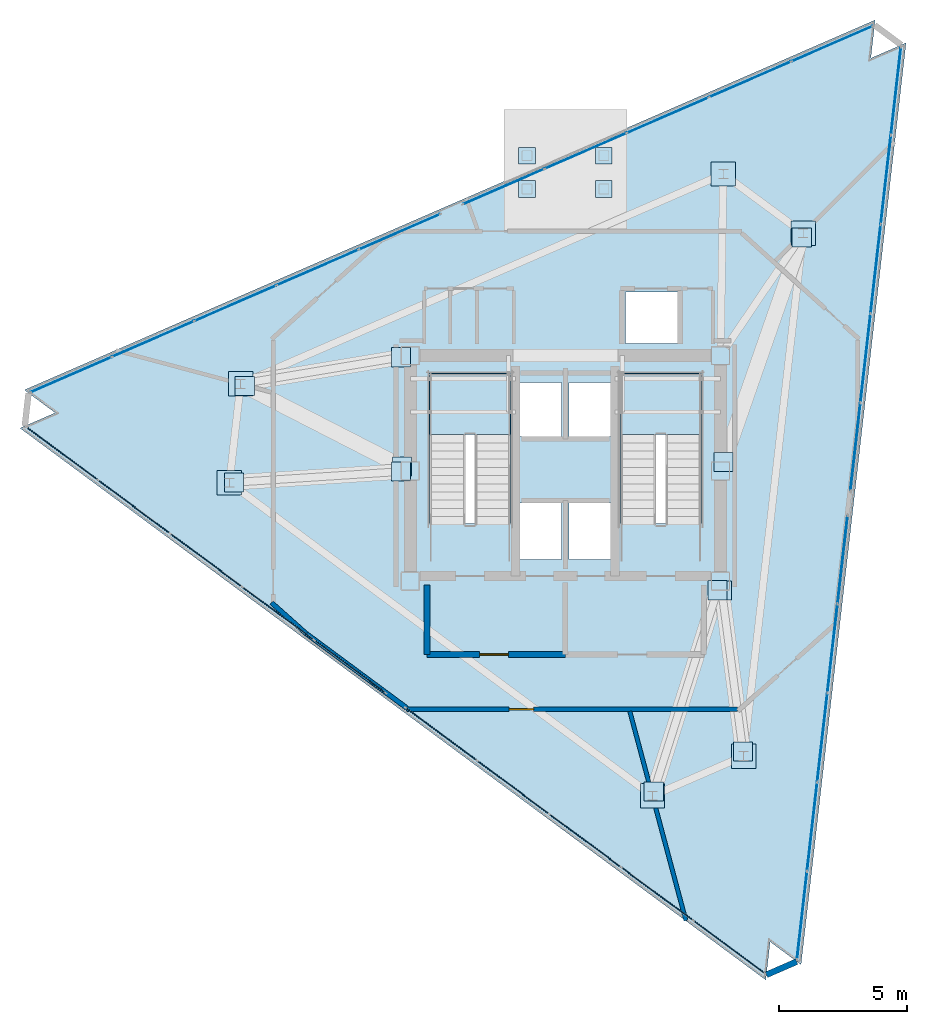
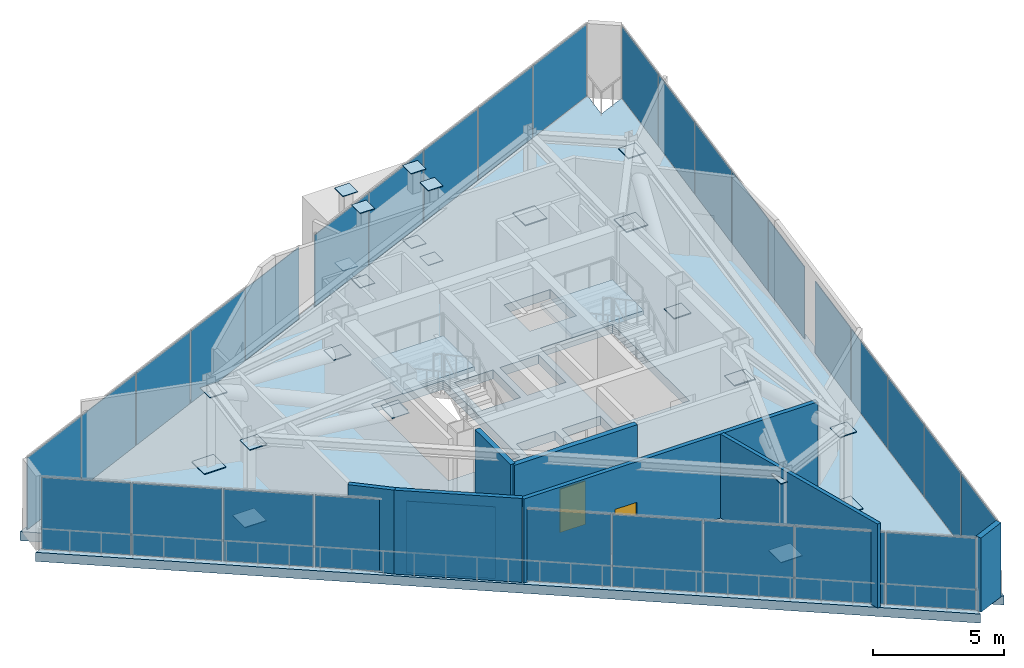
# One storey, part 7 of 11: 55 plates, 7 walls, 3 slabs, 2 doors, 2 openings, 8 elements without a shape of their own.
"""IFC4 building model written with IfcOpenShell, lengths in metres."""

from ifc_helpers import new_model, si_unit, direction, frame, frame_2d, origin, origin_2d, place, context, subcontext, project, spatial, polyline, rectangle, outline, extrude, material, layer, layer_set, type_object, element, fill, aggregate, save


model = new_model("IFC4")

# Units and contexts
model_context = context("Model", 3, precision=1e-05, world=origin(), true_north=direction((0.0, 1.0)))
body_context = subcontext(model_context, "Body", "Model", "MODEL_VIEW")
ifc_project = project(units=[si_unit("LENGTHUNIT", "METRE"), si_unit("AREAUNIT", "SQUARE_METRE"), si_unit("VOLUMEUNIT", "CUBIC_METRE"), si_unit("PLANEANGLEUNIT", "RADIAN"), si_unit("MASSUNIT", "GRAM", prefix="KILO")], contexts=[model_context])

# Site, building, storey
site_placement = place(None, origin())
site = spatial("IfcSite", under=ifc_project, at=site_placement, CompositionType="ELEMENT")
building_placement = place(site_placement, origin())
building = spatial("IfcBuilding", under=site, at=building_placement, Name="Rocaltana Carrier Exchange", CompositionType="ELEMENT")
storey_placement = place(building_placement, frame((0.0, 0.0, 239.199951171875)))
storey = spatial("IfcBuildingStorey", under=building, at=storey_placement, Name="L76", CompositionType="ELEMENT", Elevation=239.199951171875)

# Plates
ifc_material_1 = material(Name="Steel S460", Category="steel")
ifc_layer_1 = layer(ifc_material_1, 0.031982421875)
ifc_layer_set_1 = layer_set([ifc_layer_1], Name="Steel S460")
plate_type_1 = type_object("IfcPlateType", Name="Belt Truss Node End-Cap Plate 650x650x32", PredefinedType="USERDEFINED", material=ifc_layer_set_1)
for number, where, z_axis, x_axis, name in (
    (1, (-1.5, 11.0, -0.01611328125), (0.0, 0.0, 1.0), (1.0, 0.0, 0.0), "L76 TMD Support Ring Post 1 node plate C0"),
    (2, (-1.5, 11.0, 3.4521484375), (0.0, 0.0, 1.0), (1.0, 0.0, 0.0), "L76 TMD Support Ring Post 1 node plate C1"),
    (3, (1.5, 11.0, -0.01611328125), (0.0, 0.0, 1.0), (1.0, 0.0, 0.0), "L76 TMD Support Ring Post 2 node plate C0"),
    (4, (1.5, 11.0, 3.4521484375), (0.0, 0.0, 1.0), (1.0, 0.0, 0.0), "L76 TMD Support Ring Post 2 node plate C1"),
    (5, (1.5, 12.300048828125, -0.01611328125), (0.0, 0.0, 1.0), (1.0, 0.0, 0.0), "L76 TMD Support Ring Post 3 node plate C0"),
    (6, (1.5, 12.300048828125, 3.4521484375), (0.0, 0.0, 1.0), (1.0, 0.0, 0.0), "L76 TMD Support Ring Post 3 node plate C1"),
    (7, (-1.5, 12.300048828125, -0.01611328125), (0.0, 0.0, 1.0), (1.0, 0.0, 0.0), "L76 TMD Support Ring Post 4 node plate C0"),
    (8, (-1.5, 12.300048828125, 3.4521484375), (0.0, 0.0, 1.0), (1.0, 0.0, 0.0), "L76 TMD Support Ring Post 4 node plate C1"),
):
    element("IfcPlate", number, at=place(storey_placement, frame(where, z_axis=z_axis, x_axis=x_axis)), inside=storey, type_object=plate_type_1, Name=name, ObjectType="GUSSET PLATE", PredefinedType="USERDEFINED", context=body_context, shape_type="SweptSolid", body=[
        extrude(rectangle(XDim=0.64990234375, YDim=0.64990234375, at=origin_2d()), origin(), (0.0, 0.0, 1.0), 0.031982421875),
    ])

# Slab
ifc_material_2 = material(Name="Concrete C60/75", Category="concrete")
ifc_layer_2 = layer(ifc_material_2, 0.419921875)
ifc_layer_set_2 = layer_set([ifc_layer_2], Name="Concrete C60/75")
slab_type_1 = type_object("IfcSlabType", Name="Block Transfer Diaphragm Slab 420", PredefinedType="FLOOR", material=ifc_layer_set_2)
slab_1_placement = place(storey_placement, frame((0.0, 0.0, -0.419921875)))
element("IfcSlab", 9, at=slab_1_placement, inside=storey, type_object=slab_type_1, Name="L76 Structural Floor Slab", PredefinedType="FLOOR", context=body_context, shape_type="SweptSolid", body=[
    extrude(outline(polyline([(7.81884765625, -19.86279296875), (7.988525390625, -18.372314453125), (9.1943359375, -19.2646484375), (13.292236328125, 16.70263671875), (11.916748046875, 16.1044921875), (12.08642578125, 17.594970703125), (-21.111083984375, 3.16015625), (-19.9052734375, 2.267822265625), (-21.281005859375, 1.669921875), (7.81884765625, -19.86279296875)]), holes=[polyline([(-5.300048828125, -2.06005859375), (-2.139892578125, -2.06005859375), (-2.139892578125, 3.800048828125), (-5.300048828125, 3.800048828125), (-5.300048828125, -2.06005859375)]), polyline([(2.139892578125, -2.06005859375), (5.300048828125, -2.06005859375), (5.300048828125, 3.800048828125), (2.139892578125, 3.800048828125), (2.139892578125, -2.06005859375)]), polyline([(-1.85009765625, -3.449951171875), (-0.14990234375, -3.449951171875), (-0.14990234375, -1.25), (-1.85009765625, -1.25), (-1.85009765625, -3.449951171875)]), polyline([(0.14990234375, -3.449951171875), (1.85009765625, -3.449951171875), (1.85009765625, -1.25), (0.14990234375, -1.25), (0.14990234375, -3.449951171875)]), polyline([(2.35009765625, 4.97998046875), (4.39990234375, 4.97998046875), (4.39990234375, 6.97998046875), (2.35009765625, 6.97998046875), (2.35009765625, 4.97998046875)]), polyline([(-1.85009765625, 1.35009765625), (-0.14990234375, 1.35009765625), (-0.14990234375, 3.449951171875), (-1.85009765625, 3.449951171875), (-1.85009765625, 1.35009765625)]), polyline([(0.14990234375, 1.35009765625), (1.85009765625, 1.35009765625), (1.85009765625, 3.449951171875), (0.14990234375, 3.449951171875), (0.14990234375, 1.35009765625)])]), origin(), (0.0, 0.0, 1.0), 0.419921875),
])

# Curtain wall, plates
ifc_material_3 = material(Name="Aluminium 6063-T6", Category="aluminium")
ifc_layer_3 = layer(ifc_material_3, 0.110107421875)
ifc_layer_set_3 = layer_set([ifc_layer_3], Name="Aluminium 6063-T6")
curtain_wall_type = type_object("IfcCurtainWallType", Name="Crown Lantern Faceted Curtain Wall CW-06", PredefinedType="NOTDEFINED", material=ifc_layer_set_3)
curtain_wall_1_placement = place(storey_placement, origin())
curtain_wall_1 = element("IfcCurtainWall", 10, at=curtain_wall_1_placement, inside=storey, type_object=curtain_wall_type, Name="L76 CW-06 Run CW06-L76-F1S1", PredefinedType="NOTDEFINED")
ifc_material_4 = material(Name="Tempered Laminated Glass", Category="glass")
ifc_layer_4 = layer(ifc_material_4, 0.033935546875)
ifc_layer_set_4 = layer_set([ifc_layer_4], Name="Tempered Laminated Glass")
plate_type_2 = type_object("IfcPlateType", Name="CW-06 Stone-Insulated Vision Panel", PredefinedType="CURTAIN_PANEL", material=ifc_layer_set_4)
plate_1_placement = place(storey_placement, frame((9.232177734375, -17.3427734375, 0.05517578125), z_axis=(0.0, 0.0, 1.0), x_axis=(0.113199446517, 0.993572284893, 0.0)))
plate_1 = element("IfcPlate", 11, at=plate_1_placement, type_object=plate_type_2, Name="CW-06 panel 1.1", PredefinedType="CURTAIN_PANEL", context=body_context, shape_type="SweptSolid", body=[
    extrude(rectangle(XDim=3.41748046875, YDim=0.033935546875, at=origin_2d()), origin(), (0.0, 0.0, 1.0), 3.337890625),
])
plate_2_placement = place(storey_placement, frame((9.626708984375, -13.87890625, 0.05517578125), z_axis=(0.0, 0.0, 1.0), x_axis=(0.113199446517, 0.993572284893, 0.0)))
plate_2 = element("IfcPlate", 12, at=plate_2_placement, type_object=plate_type_2, Name="CW-06 panel 2.1", PredefinedType="CURTAIN_PANEL", context=body_context, shape_type="SweptSolid", body=[
    extrude(rectangle(XDim=3.445068359375, YDim=0.033935546875, at=origin_2d()), origin(), (0.0, 0.0, 1.0), 3.337890625),
])
plate_3_placement = place(storey_placement, frame((10.02294921875, -10.401611328125, 0.05517578125), z_axis=(0.0, 0.0, 1.0), x_axis=(0.113199446517, 0.993572284893, 0.0)))
plate_3 = element("IfcPlate", 13, at=plate_3_placement, type_object=plate_type_2, Name="CW-06 panel 3.1", PredefinedType="CURTAIN_PANEL", context=body_context, shape_type="SweptSolid", body=[
    extrude(rectangle(XDim=3.445068359375, YDim=0.033935546875, at=origin_2d()), origin(), (0.0, 0.0, 1.0), 3.337890625),
])
plate_4_placement = place(storey_placement, frame((10.419189453125, -6.924072265625, 0.05517578125), z_axis=(0.0, 0.0, 1.0), x_axis=(0.113199446517, 0.993572284893, 0.0)))
plate_4 = element("IfcPlate", 14, at=plate_4_placement, type_object=plate_type_2, Name="CW-06 panel 4.1", PredefinedType="CURTAIN_PANEL", context=body_context, shape_type="SweptSolid", body=[
    extrude(rectangle(XDim=3.445068359375, YDim=0.033935546875, at=origin_2d()), origin(), (0.0, 0.0, 1.0), 3.337890625),
])
plate_5_placement = place(storey_placement, frame((10.81396484375, -3.460205078125, 0.05517578125), z_axis=(0.0, 0.0, 1.0), x_axis=(0.113199446517, 0.993572284893, 0.0)))
plate_5 = element("IfcPlate", 15, at=plate_5_placement, type_object=plate_type_2, Name="CW-06 panel 5.1", PredefinedType="CURTAIN_PANEL", context=body_context, shape_type="SweptSolid", body=[
    extrude(rectangle(XDim=3.41748046875, YDim=0.033935546875, at=origin_2d()), origin(), (0.0, 0.0, 1.0), 3.337890625),
])
aggregate(curtain_wall_1, [plate_1, plate_2, plate_3, plate_4, plate_5])

curtain_wall_2_placement = place(storey_placement, origin())
curtain_wall_2 = element("IfcCurtainWall", 16, at=curtain_wall_2_placement, inside=storey, type_object=curtain_wall_type, Name="L76 CW-06 Run CW06-L76-F1S2", PredefinedType="NOTDEFINED")
plate_6_placement = place(storey_placement, frame((11.315185546875, 0.93896484375, 0.05517578125), z_axis=(0.0, 0.0, 1.0), x_axis=(0.113205730273, 0.993571568954, 0.0)))
plate_6 = element("IfcPlate", 17, at=plate_6_placement, type_object=plate_type_2, Name="CW-06 panel 1.1", PredefinedType="CURTAIN_PANEL", context=body_context, shape_type="SweptSolid", body=[
    extrude(rectangle(XDim=3.41748046875, YDim=0.033935546875, at=origin_2d()), origin(), (0.0, 0.0, 1.0), 3.337890625),
])
plate_7_placement = place(storey_placement, frame((11.709716796875, 4.40283203125, 0.05517578125), z_axis=(0.0, 0.0, 1.0), x_axis=(0.113205730273, 0.993571568954, 0.0)))
plate_7 = element("IfcPlate", 18, at=plate_7_placement, type_object=plate_type_2, Name="CW-06 panel 2.1", PredefinedType="CURTAIN_PANEL", context=body_context, shape_type="SweptSolid", body=[
    extrude(rectangle(XDim=3.445068359375, YDim=0.033935546875, at=origin_2d()), origin(), (0.0, 0.0, 1.0), 3.337890625),
])
plate_8_placement = place(storey_placement, frame((12.10595703125, 7.88037109375, 0.05517578125), z_axis=(0.0, 0.0, 1.0), x_axis=(0.113205730273, 0.993571568954, 0.0)))
plate_8 = element("IfcPlate", 19, at=plate_8_placement, type_object=plate_type_2, Name="CW-06 panel 3.1", PredefinedType="CURTAIN_PANEL", context=body_context, shape_type="SweptSolid", body=[
    extrude(rectangle(XDim=3.445068359375, YDim=0.033935546875, at=origin_2d()), origin(), (0.0, 0.0, 1.0), 3.337890625),
])
plate_9_placement = place(storey_placement, frame((12.502197265625, 11.357666015625, 0.05517578125), z_axis=(0.0, 0.0, 1.0), x_axis=(0.113205730273, 0.993571568954, 0.0)))
plate_9 = element("IfcPlate", 20, at=plate_9_placement, type_object=plate_type_2, Name="CW-06 panel 4.1", PredefinedType="CURTAIN_PANEL", context=body_context, shape_type="SweptSolid", body=[
    extrude(rectangle(XDim=3.445068359375, YDim=0.033935546875, at=origin_2d()), origin(), (0.0, 0.0, 1.0), 3.337890625),
])
plate_10_placement = place(storey_placement, frame((12.896728515625, 14.821533203125, 0.05517578125), z_axis=(0.0, 0.0, 1.0), x_axis=(0.113205730273, 0.993571568954, 0.0)))
plate_10 = element("IfcPlate", 21, at=plate_10_placement, type_object=plate_type_2, Name="CW-06 panel 5.1", PredefinedType="CURTAIN_PANEL", context=body_context, shape_type="SweptSolid", body=[
    extrude(rectangle(XDim=3.41748046875, YDim=0.033935546875, at=origin_2d()), origin(), (0.0, 0.0, 1.0), 3.337890625),
])
aggregate(curtain_wall_2, [plate_6, plate_7, plate_8, plate_9, plate_10])

curtain_wall_3_placement = place(storey_placement, origin())
curtain_wall_3 = element("IfcCurtainWall", 22, at=curtain_wall_3_placement, inside=storey, type_object=curtain_wall_type, Name="L76 CW-06 Run CW06-L76-F2S1", PredefinedType="NOTDEFINED")
plate_11_placement = place(storey_placement, frame((10.4033203125, 16.666748046875, 0.05517578125), z_axis=(0.0, 0.0, 1.0), x_axis=(-0.917059790194, -0.398749722519, 0.0)))
plate_11 = element("IfcPlate", 23, at=plate_11_placement, type_object=plate_type_2, Name="CW-06 panel 1.1", PredefinedType="CURTAIN_PANEL", context=body_context, shape_type="SweptSolid", body=[
    extrude(rectangle(XDim=3.41748046875, YDim=0.033935546875, at=origin_2d()), origin(), (0.0, 0.0, 1.0), 3.337890625),
])
plate_12_placement = place(storey_placement, frame((7.2060546875, 15.276611328125, 0.05517578125), z_axis=(0.0, 0.0, 1.0), x_axis=(-0.917059790194, -0.398749722519, 0.0)))
plate_12 = element("IfcPlate", 24, at=plate_12_placement, type_object=plate_type_2, Name="CW-06 panel 2.1", PredefinedType="CURTAIN_PANEL", context=body_context, shape_type="SweptSolid", body=[
    extrude(rectangle(XDim=3.445068359375, YDim=0.033935546875, at=origin_2d()), origin(), (0.0, 0.0, 1.0), 3.337890625),
])
plate_13_placement = place(storey_placement, frame((3.996337890625, 13.880859375, 0.05517578125), z_axis=(0.0, 0.0, 1.0), x_axis=(-0.917059790194, -0.398749722519, 0.0)))
plate_13 = element("IfcPlate", 25, at=plate_13_placement, type_object=plate_type_2, Name="CW-06 panel 3.1", PredefinedType="CURTAIN_PANEL", context=body_context, shape_type="SweptSolid", body=[
    extrude(rectangle(XDim=3.445068359375, YDim=0.033935546875, at=origin_2d()), origin(), (0.0, 0.0, 1.0), 3.337890625),
])
plate_14_placement = place(storey_placement, frame((0.786865234375, 12.4853515625, 0.05517578125), z_axis=(0.0, 0.0, 1.0), x_axis=(-0.917059790194, -0.398749722519, 0.0)))
plate_14 = element("IfcPlate", 26, at=plate_14_placement, type_object=plate_type_2, Name="CW-06 panel 4.1", PredefinedType="CURTAIN_PANEL", context=body_context, shape_type="SweptSolid", body=[
    extrude(rectangle(XDim=3.445068359375, YDim=0.033935546875, at=origin_2d()), origin(), (0.0, 0.0, 1.0), 3.337890625),
])
plate_15_placement = place(storey_placement, frame((-2.410400390625, 11.09521484375, 0.05517578125), z_axis=(0.0, 0.0, 1.0), x_axis=(-0.917059790194, -0.398749722519, 0.0)))
plate_15 = element("IfcPlate", 27, at=plate_15_placement, type_object=plate_type_2, Name="CW-06 panel 5.1", PredefinedType="CURTAIN_PANEL", context=body_context, shape_type="SweptSolid", body=[
    extrude(rectangle(XDim=3.41748046875, YDim=0.033935546875, at=origin_2d()), origin(), (0.0, 0.0, 1.0), 3.337890625),
])
aggregate(curtain_wall_3, [plate_11, plate_12, plate_13, plate_14, plate_15])

curtain_wall_4_placement = place(storey_placement, origin())
curtain_wall_4 = element("IfcCurtainWall", 28, at=curtain_wall_4_placement, inside=storey, type_object=curtain_wall_type, Name="L76 CW-06 Run CW06-L76-F2S2", PredefinedType="NOTDEFINED")
plate_16_placement = place(storey_placement, frame((-6.470703125, 9.32958984375, 0.05517578125), z_axis=(0.0, 0.0, 1.0), x_axis=(-0.917059790194, -0.398749722519, 0.0)))
plate_16 = element("IfcPlate", 29, at=plate_16_placement, type_object=plate_type_2, Name="CW-06 panel 1.1", PredefinedType="CURTAIN_PANEL", context=body_context, shape_type="SweptSolid", body=[
    extrude(rectangle(XDim=3.41748046875, YDim=0.033935546875, at=origin_2d()), origin(), (0.0, 0.0, 1.0), 3.337890625),
])
plate_17_placement = place(storey_placement, frame((-9.667724609375, 7.939453125, 0.05517578125), z_axis=(0.0, 0.0, 1.0), x_axis=(-0.917059790194, -0.398749722519, 0.0)))
plate_17 = element("IfcPlate", 30, at=plate_17_placement, type_object=plate_type_2, Name="CW-06 panel 2.1", PredefinedType="CURTAIN_PANEL", context=body_context, shape_type="SweptSolid", body=[
    extrude(rectangle(XDim=3.445068359375, YDim=0.033935546875, at=origin_2d()), origin(), (0.0, 0.0, 1.0), 3.337890625),
])
plate_18_placement = place(storey_placement, frame((-12.87744140625, 6.5439453125, 0.05517578125), z_axis=(0.0, 0.0, 1.0), x_axis=(-0.917059790194, -0.398749722519, 0.0)))
plate_18 = element("IfcPlate", 31, at=plate_18_placement, type_object=plate_type_2, Name="CW-06 panel 3.1", PredefinedType="CURTAIN_PANEL", context=body_context, shape_type="SweptSolid", body=[
    extrude(rectangle(XDim=3.445068359375, YDim=0.033935546875, at=origin_2d()), origin(), (0.0, 0.0, 1.0), 3.337890625),
])
plate_19_placement = place(storey_placement, frame((-16.087158203125, 5.1484375, 0.05517578125), z_axis=(0.0, 0.0, 1.0), x_axis=(-0.917059790194, -0.398749722519, 0.0)))
plate_19 = element("IfcPlate", 32, at=plate_19_placement, type_object=plate_type_2, Name="CW-06 panel 4.1", PredefinedType="CURTAIN_PANEL", context=body_context, shape_type="SweptSolid", body=[
    extrude(rectangle(XDim=3.445068359375, YDim=0.033935546875, at=origin_2d()), origin(), (0.0, 0.0, 1.0), 3.337890625),
])
plate_20_placement = place(storey_placement, frame((-19.2841796875, 3.75830078125, 0.05517578125), z_axis=(0.0, 0.0, 1.0), x_axis=(-0.917059790194, -0.398749722519, 0.0)))
plate_20 = element("IfcPlate", 33, at=plate_20_placement, type_object=plate_type_2, Name="CW-06 panel 5.1", PredefinedType="CURTAIN_PANEL", context=body_context, shape_type="SweptSolid", body=[
    extrude(rectangle(XDim=3.41748046875, YDim=0.033935546875, at=origin_2d()), origin(), (0.0, 0.0, 1.0), 3.337890625),
])
aggregate(curtain_wall_4, [plate_16, plate_17, plate_18, plate_19, plate_20])

curtain_wall_5_placement = place(storey_placement, origin())
curtain_wall_5 = element("IfcCurtainWall", 34, at=curtain_wall_5_placement, inside=storey, type_object=curtain_wall_type, Name="L76 CW-06 Run CW06-L76-F3S1", PredefinedType="NOTDEFINED")
plate_21_placement = place(storey_placement, frame((-19.635498046875, 0.67626953125, 0.05517578125), z_axis=(0.0, 0.0, 1.0), x_axis=(0.803856926821, -0.594822697282, 0.0)))
plate_21 = element("IfcPlate", 35, at=plate_21_placement, type_object=plate_type_2, Name="CW-06 panel 1.1", PredefinedType="CURTAIN_PANEL", context=body_context, shape_type="SweptSolid", body=[
    extrude(rectangle(XDim=3.41748046875, YDim=0.033935546875, at=origin_2d()), origin(), (0.0, 0.0, 1.0), 3.337890625),
])
plate_22_placement = place(storey_placement, frame((-16.8330078125, -1.3974609375, 0.05517578125), z_axis=(0.0, 0.0, 1.0), x_axis=(0.803856926821, -0.594822697282, 0.0)))
plate_22 = element("IfcPlate", 36, at=plate_22_placement, type_object=plate_type_2, Name="CW-06 panel 2.1", PredefinedType="CURTAIN_PANEL", context=body_context, shape_type="SweptSolid", body=[
    extrude(rectangle(XDim=3.445068359375, YDim=0.033935546875, at=origin_2d()), origin(), (0.0, 0.0, 1.0), 3.337890625),
])
plate_23_placement = place(storey_placement, frame((-14.01953125, -3.4794921875, 0.05517578125), z_axis=(0.0, 0.0, 1.0), x_axis=(0.803856926821, -0.594822697282, 0.0)))
plate_23 = element("IfcPlate", 37, at=plate_23_placement, type_object=plate_type_2, Name="CW-06 panel 3.1", PredefinedType="CURTAIN_PANEL", context=body_context, shape_type="SweptSolid", body=[
    extrude(rectangle(XDim=3.445068359375, YDim=0.033935546875, at=origin_2d()), origin(), (0.0, 0.0, 1.0), 3.337890625),
])
plate_24_placement = place(storey_placement, frame((-11.2060546875, -5.561279296875, 0.05517578125), z_axis=(0.0, 0.0, 1.0), x_axis=(0.803856926821, -0.594822697282, 0.0)))
plate_24 = element("IfcPlate", 38, at=plate_24_placement, type_object=plate_type_2, Name="CW-06 panel 4.1", PredefinedType="CURTAIN_PANEL", context=body_context, shape_type="SweptSolid", body=[
    extrude(rectangle(XDim=3.445068359375, YDim=0.033935546875, at=origin_2d()), origin(), (0.0, 0.0, 1.0), 3.337890625),
])
plate_25_placement = place(storey_placement, frame((-8.403564453125, -7.635009765625, 0.05517578125), z_axis=(0.0, 0.0, 1.0), x_axis=(0.803856926821, -0.594822697282, 0.0)))
plate_25 = element("IfcPlate", 39, at=plate_25_placement, type_object=plate_type_2, Name="CW-06 panel 5.1", PredefinedType="CURTAIN_PANEL", context=body_context, shape_type="SweptSolid", body=[
    extrude(rectangle(XDim=3.41748046875, YDim=0.033935546875, at=origin_2d()), origin(), (0.0, 0.0, 1.0), 3.337890625),
])
aggregate(curtain_wall_5, [plate_21, plate_22, plate_23, plate_24, plate_25])

curtain_wall_6_placement = place(storey_placement, origin())
curtain_wall_6 = element("IfcCurtainWall", 40, at=curtain_wall_6_placement, inside=storey, type_object=curtain_wall_type, Name="L76 CW-06 Run CW06-L76-F3S2", PredefinedType="NOTDEFINED")
plate_26_placement = place(storey_placement, frame((-4.844482421875, -10.2685546875, 0.05517578125), z_axis=(0.0, 0.0, 1.0), x_axis=(0.803854905007, -0.594825429598, 0.0)))
plate_26 = element("IfcPlate", 41, at=plate_26_placement, type_object=plate_type_2, Name="CW-06 panel 1.1", PredefinedType="CURTAIN_PANEL", context=body_context, shape_type="SweptSolid", body=[
    extrude(rectangle(XDim=3.41748046875, YDim=0.033935546875, at=origin_2d()), origin(), (0.0, 0.0, 1.0), 3.337890625),
])
plate_27_placement = place(storey_placement, frame((-2.0419921875, -12.34228515625, 0.05517578125), z_axis=(0.0, 0.0, 1.0), x_axis=(0.803854905007, -0.594825429598, 0.0)))
plate_27 = element("IfcPlate", 42, at=plate_27_placement, type_object=plate_type_2, Name="CW-06 panel 2.1", PredefinedType="CURTAIN_PANEL", context=body_context, shape_type="SweptSolid", body=[
    extrude(rectangle(XDim=3.445068359375, YDim=0.033935546875, at=origin_2d()), origin(), (0.0, 0.0, 1.0), 3.337890625),
])
plate_28_placement = place(storey_placement, frame((0.771484375, -14.42431640625, 0.05517578125), z_axis=(0.0, 0.0, 1.0), x_axis=(0.803854905007, -0.594825429598, 0.0)))
plate_28 = element("IfcPlate", 43, at=plate_28_placement, type_object=plate_type_2, Name="CW-06 panel 3.1", PredefinedType="CURTAIN_PANEL", context=body_context, shape_type="SweptSolid", body=[
    extrude(rectangle(XDim=3.445068359375, YDim=0.033935546875, at=origin_2d()), origin(), (0.0, 0.0, 1.0), 3.337890625),
])
plate_29_placement = place(storey_placement, frame((3.5849609375, -16.506103515625, 0.05517578125), z_axis=(0.0, 0.0, 1.0), x_axis=(0.803854905007, -0.594825429598, 0.0)))
plate_29 = element("IfcPlate", 44, at=plate_29_placement, type_object=plate_type_2, Name="CW-06 panel 4.1", PredefinedType="CURTAIN_PANEL", context=body_context, shape_type="SweptSolid", body=[
    extrude(rectangle(XDim=3.445068359375, YDim=0.033935546875, at=origin_2d()), origin(), (0.0, 0.0, 1.0), 3.337890625),
])
plate_30_placement = place(storey_placement, frame((6.387451171875, -18.579833984375, 0.05517578125), z_axis=(0.0, 0.0, 1.0), x_axis=(0.803854905007, -0.594825429598, 0.0)))
plate_30 = element("IfcPlate", 45, at=plate_30_placement, type_object=plate_type_2, Name="CW-06 panel 5.1", PredefinedType="CURTAIN_PANEL", context=body_context, shape_type="SweptSolid", body=[
    extrude(rectangle(XDim=3.41748046875, YDim=0.033935546875, at=origin_2d()), origin(), (0.0, 0.0, 1.0), 3.337890625),
])
aggregate(curtain_wall_6, [plate_26, plate_27, plate_28, plate_29, plate_30])

# Plates
ifc_material_5 = material(Name="Steel S460", Category="steel")
ifc_layer_5 = layer(ifc_material_5, 0.0400390625)
ifc_layer_set_5 = layer_set([ifc_layer_5], Name="Steel S460")
plate_type_3 = type_object("IfcPlateType", Name="Column Base Bearing Plate 950x950x40", PredefinedType="SHEET", material=ifc_layer_set_5)
for number, where, z_axis, x_axis, name in (
    (46, (6.953125, -11.126708984375, 0.0), (0.0, 0.0, 1.0), (1.0, 0.0, 0.0), "L76 Crown Column Base Plate CC01"),
    (47, (9.27783203125, 9.27734375, 0.0), (0.0, 0.0, 1.0), (1.0, 0.0, 0.0), "L76 Crown Column Base Plate CC02"),
    (48, (6.159423828125, 11.5849609375, 0.0), (0.0, 0.0, 1.0), (1.0, 0.0, 0.0), "L76 Crown Column Base Plate CC03"),
    (49, (-12.67333984375, 3.396240234375, 0.0), (0.0, 0.0, 1.0), (1.0, 0.0, 0.0), "L76 Crown Column Base Plate CC04"),
    (50, (-13.112548828125, -0.458251953125, 0.0), (0.0, 0.0, 1.0), (1.0, 0.0, 0.0), "L76 Crown Column Base Plate CC05"),
    (51, (3.3955078125, -12.673583984375, 0.0), (0.0, 0.0, 1.0), (1.0, 0.0, 0.0), "L76 Crown Column Base Plate CC06"),
):
    element("IfcPlate", number, at=place(storey_placement, frame(where, z_axis=z_axis, x_axis=x_axis)), inside=storey, type_object=plate_type_3, Name=name, PredefinedType="SHEET", context=body_context, shape_type="SweptSolid", body=[
        extrude(rectangle(XDim=0.949951171875, YDim=0.949951171875, at=origin_2d()), origin(), (0.0, 0.0, 1.0), 0.0400390625),
    ])
ifc_material_6 = material(Name="Steel S460", Category="steel")
ifc_layer_6 = layer(ifc_material_6, 0.035888671875)
ifc_layer_set_6 = layer_set([ifc_layer_6], Name="Steel S460")
plate_type_4 = type_object("IfcPlateType", Name="Outrigger Node Gusset Plate 750x750x36", PredefinedType="USERDEFINED", material=ifc_layer_set_6)
for number, where, z_axis, x_axis, name in (
    (52, (6.0986328125, -4.667724609375, 2.38232421875), (0.0, 0.0, 1.0), (1.0, 0.0, 0.0), "L76 Hat Truss Diagonal 1 node plate C0"),
    (53, (6.9296875, -10.9501953125, 3.4501953125), (0.0, 0.0, 1.0), (1.0, 0.0, 0.0), "L76 Hat Truss Diagonal 1 node plate C1"),
    (54, (6.171875, 0.350341796875, 2.38232421875), (0.0, 0.0, 1.0), (1.0, 0.0, 0.0), "L76 Hat Truss Diagonal 2 node plate C0"),
    (55, (9.219482421875, 9.109375, 3.4501953125), (0.0, 0.0, 1.0), (1.0, 0.0, 0.0), "L76 Hat Truss Diagonal 2 node plate C1"),
    (56, (5.93798828125, -4.65380859375, 2.38232421875), (0.0, 0.0, 1.0), (1.0, 0.0, 0.0), "L76 Hat Truss Diagonal 3 node plate C0"),
    (57, (3.44921875, -12.50390625, 3.4501953125), (0.0, 0.0, 1.0), (1.0, 0.0, 0.0), "L76 Hat Truss Diagonal 3 node plate C1"),
    (58, (-6.380126953125, 0.169189453125, 2.38232421875), (0.0, 0.0, 1.0), (1.0, 0.0, 0.0), "L76 Hat Truss Diagonal 4 node plate C0"),
    (59, (-12.514892578125, 3.31494140625, 3.4501953125), (0.0, 0.0, 1.0), (1.0, 0.0, 0.0), "L76 Hat Truss Diagonal 4 node plate C1"),
    (60, (-6.416015625, 4.43896484375, 2.38232421875), (0.0, 0.0, 1.0), (1.0, 0.0, 0.0), "L76 Hat Truss Diagonal 5 node plate C0"),
    (61, (-6.420166015625, -0.02392578125, 2.38232421875), (0.0, 0.0, 1.0), (1.0, 0.0, 0.0), "L76 Hat Truss Diagonal 6 node plate C0"),
    (62, (-12.934814453125, -0.44677734375, 3.4501953125), (0.0, 0.0, 1.0), (1.0, 0.0, 0.0), "L76 Hat Truss Diagonal 6 node plate C1"),
):
    element("IfcPlate", number, at=place(storey_placement, frame(where, z_axis=z_axis, x_axis=x_axis)), inside=storey, type_object=plate_type_4, Name=name, ObjectType="GUSSET PLATE", PredefinedType="USERDEFINED", context=body_context, shape_type="SweptSolid", body=[
        extrude(rectangle(XDim=0.75, YDim=0.75, at=origin_2d()), origin(), (0.0, 0.0, 1.0), 0.035888671875),
    ])

# Stair, slab
ifc_material_7 = material(Name="Precast concrete C45/55", Category="concrete")
stair_type = type_object("IfcStairType", Name="Standard Dog-Leg Stair 160", PredefinedType="HALF_TURN_STAIR", material=ifc_material_7)
stair_1_placement = place(storey_placement, origin())
stair_1 = element("IfcStair", 63, at=stair_1_placement, inside=storey, type_object=stair_type, Name="L76 Core West Exit Stair ST-1", PredefinedType="HALF_TURN_STAIR")
ifc_material_8 = material(Name="Precast concrete C45/55", Category="concrete")
ifc_layer_7 = layer(ifc_material_8, 0.199951171875)
ifc_layer_set_7 = layer_set([ifc_layer_7], Name="Precast concrete C45/55")
slab_type_2 = type_object("IfcSlabType", Name="Precast Stair Half-Landing 200", PredefinedType="LANDING", material=ifc_layer_set_7)
slab_2_placement = place(storey_placement, frame((0.0, 0.0, 1.880126953125)))
slab_2 = element("IfcSlab", 64, at=slab_2_placement, type_object=slab_type_2, Name="ST-1 landing 1", PredefinedType="LANDING", context=body_context, shape_type="SweptSolid", body=[
    extrude(outline(polyline([(-2.139892578125, 1.419921875), (-2.139892578125, 3.800048828125), (-5.300048828125, 3.800048828125), (-5.300048828125, 1.419921875), (-2.139892578125, 1.419921875)])), origin(), (0.0, 0.0, 1.0), 0.199951171875),
])
aggregate(stair_1, [slab_2])

stair_2_placement = place(storey_placement, origin())
stair_2 = element("IfcStair", 65, at=stair_2_placement, inside=storey, type_object=stair_type, Name="L76 Core East Exit Stair ST-2", PredefinedType="HALF_TURN_STAIR")
slab_3_placement = place(storey_placement, frame((0.0, 0.0, 1.880126953125)))
slab_3 = element("IfcSlab", 66, at=slab_3_placement, type_object=slab_type_2, Name="ST-2 landing 1", PredefinedType="LANDING", context=body_context, shape_type="SweptSolid", body=[
    extrude(outline(polyline([(5.300048828125, 1.419921875), (5.300048828125, 3.800048828125), (2.139892578125, 3.800048828125), (2.139892578125, 1.419921875), (5.300048828125, 1.419921875)])), origin(), (0.0, 0.0, 1.0), 0.199951171875),
])
aggregate(stair_2, [slab_3])

# Wall
ifc_material_9 = material(Name="Double Acoustic Gypsum Partition", Category="gypsum")
ifc_layer_8 = layer(ifc_material_9, 0.159912109375)
ifc_layer_set_8 = layer_set([ifc_layer_8], Name="Double Acoustic Gypsum Partition")
wall_type_1 = type_object("IfcWallType", Name="Acoustic Studio Partition 160 EI60", PredefinedType="PARTITIONING", material=ifc_layer_set_8)
wall_1_placement = place(storey_placement, frame((2.513427734375, -9.3798828125, 0.0), z_axis=(0.0, 0.0, 1.0), x_axis=(0.258807801758, -0.965928838864, 0.0)))
element("IfcWall", 67, at=wall_1_placement, inside=storey, type_object=wall_type_1, Name="L76 Suite Divider Wall D1", PredefinedType="PARTITIONING", context=body_context, shape_type="SweptSolid", body=[
    extrude(rectangle(XDim=8.451171875, YDim=0.159912109375, at=frame_2d((4.2255859375, 0.0))), origin(), (0.0, 0.0, 1.0), 3.903076171875),
])

# Wall, opening, door
ifc_material_10 = material(Name="Gypsum & Steel Stud Partition", Category="steel")
ifc_layer_9 = layer(ifc_material_10, 0.179931640625)
ifc_layer_set_9 = layer_set([ifc_layer_9], Name="Gypsum & Steel Stud Partition")
wall_type_2 = type_object("IfcWallType", Name="Corridor Fire Partition 180 EI60", PredefinedType="PARTITIONING", material=ifc_layer_set_9)
wall_2_placement = place(storey_placement, frame((6.7099609375, -9.300048828125, 0.0), z_axis=(0.0, 0.0, 1.0), x_axis=(-1.0, 0.0, 0.0)))
wall_2 = element("IfcWall", 68, at=wall_2_placement, inside=storey, type_object=wall_type_2, Name="L76 Corridor Partition 7", PredefinedType="PARTITIONING", context=body_context, shape_type="SweptSolid", body=[
    extrude(rectangle(XDim=12.919677734375, YDim=0.179931640625, at=frame_2d((6.4599609375, 0.0))), origin(), (0.0, 0.0, 1.0), 3.903076171875),
])
opening_1_placement = place(wall_2_placement, frame((7.94921875, 0.0, 0.0)))
opening_1 = element("IfcOpeningElement", 69, at=opening_1_placement, cuts=wall_2, Name="Opening D-RM098", PredefinedType="OPENING", context=body_context, shape_type="SweptSolid", body=[
    extrude(rectangle(XDim=0.9599609375, YDim=2.02001953125, at=frame_2d((0.47998046875, 1.010009765625))), frame((0.0, 0.099853515625, 0.0), z_axis=(0.0, -1.0, 0.0), x_axis=(1.0, 0.0, 0.0)), (0.0, 0.0, 1.0), 0.199951171875),
])
ifc_material_11 = material(Name="Engineered Hardwood Timber", Category="wood")
door_type_1 = type_object("IfcDoorType", Name="Workspace Single Door 960x2020", OperationType="NOTDEFINED", PredefinedType="DOOR", material=ifc_material_11)
door_1_placement = place(opening_1_placement, origin())
door_1 = element("IfcDoor", 70, at=door_1_placement, inside=storey, type_object=door_type_1, Name="L76 Tuned Mass Damper Chamber Entrance Door", OperationType="SINGLE_SWING_LEFT", OverallHeight=2.02001953125, OverallWidth=0.9599609375, PredefinedType="DOOR", context=body_context, shape_type="SweptSolid", body=[
    extrude(rectangle(XDim=0.9599609375, YDim=2.02001953125, at=frame_2d((0.47998046875, 1.010009765625))), frame((0.0, 0.02490234375, 0.0), z_axis=(0.0, -1.0, 0.0), x_axis=(1.0, 0.0, 0.0)), (0.0, 0.0, 1.0), 0.050048828125),
])
fill(opening_1, door_1)

# Walls
wall_3_placement = place(storey_placement, frame((-6.192138671875, -9.24658203125, 0.0), z_axis=(0.0, 0.0, 1.0), x_axis=(-0.803841424004, 0.594843647571, 0.0)))
element("IfcWall", 71, at=wall_3_placement, inside=storey, type_object=wall_type_2, Name="L76 Corridor Partition 8", PredefinedType="PARTITIONING", context=body_context, shape_type="SweptSolid", body=[
    extrude(rectangle(XDim=4.913330078125, YDim=0.179931640625, at=frame_2d((2.45654296875, 0.0))), origin(), (0.0, 0.0, 1.0), 3.903076171875),
])
wall_4_placement = place(storey_placement, frame((-10.110595703125, -6.34912109375, 0.0), z_axis=(0.0, 0.0, 1.0), x_axis=(-0.746578549697, 0.665297278765, 0.0)))
element("IfcWall", 72, at=wall_4_placement, inside=storey, type_object=wall_type_2, Name="L76 Corridor Partition 9", PredefinedType="PARTITIONING", context=body_context, shape_type="SweptSolid", body=[
    extrude(rectangle(XDim=1.817138671875, YDim=0.179931640625, at=frame_2d((0.90869140625, 0.0))), origin(), (0.0, 0.0, 1.0), 3.903076171875),
])
ifc_material_12 = material(Name="Autoclaved Aerated Concrete C30/37", Category="concrete")
ifc_layer_10 = layer(ifc_material_12, 0.219970703125)
ifc_layer_set_10 = layer_set([ifc_layer_10], Name="Autoclaved Aerated Concrete C30/37")
wall_type_3 = type_object("IfcWallType", Name="Firefighting Lobby Wall 220 EI120", PredefinedType="PARTITIONING", material=ifc_layer_set_10)
wall_5_placement = place(storey_placement, frame((-5.39990234375, -7.159912109375, 0.0), z_axis=(0.0, 0.0, 1.0), x_axis=(0.0, 1.0, 0.0)))
element("IfcWall", 73, at=wall_5_placement, inside=storey, type_object=wall_type_3, Name="L76 FFL Lobby 1 West Wall", PredefinedType="PARTITIONING", context=body_context, shape_type="SweptSolid", body=[
    extrude(rectangle(XDim=2.7099609375, YDim=0.219970703125, at=frame_2d((1.35498046875, 0.0))), origin(), (0.0, 0.0, 1.0), 3.903076171875),
])

# Wall, opening, door
wall_6_placement = place(storey_placement, frame((-5.39990234375, -7.159912109375, 0.0), z_axis=(0.0, 0.0, 1.0), x_axis=(1.0, 0.0, 0.0)))
wall_6 = element("IfcWall", 74, at=wall_6_placement, inside=storey, type_object=wall_type_3, Name="L76 FFL Lobby 1 South Wall", PredefinedType="PARTITIONING", context=body_context, shape_type="SweptSolid", body=[
    extrude(rectangle(XDim=5.39990234375, YDim=0.219970703125, at=frame_2d((2.699951171875, 0.0))), origin(), (0.0, 0.0, 1.0), 3.903076171875),
])
opening_2_placement = place(wall_6_placement, frame((2.050048828125, 0.0, 0.0)))
opening_2 = element("IfcOpeningElement", 75, at=opening_2_placement, cuts=wall_6, Name="Opening D-FF115", PredefinedType="OPENING", context=body_context, shape_type="SweptSolid", body=[
    extrude(rectangle(XDim=1.1201171875, YDim=2.02001953125, at=frame_2d((0.56005859375, 1.010009765625))), frame((0.0, 0.119873046875, 0.0), z_axis=(0.0, -1.0, 0.0), x_axis=(1.0, 0.0, 0.0)), (0.0, 0.0, 1.0), 0.239990234375),
])
ifc_material_13 = material(Name="Hollow Metal Fire Door Assembly", Category="steel")
door_type_2 = type_object("IfcDoorType", Name="Firefighting Lobby Door 1120x2020 FD60S", OperationType="NOTDEFINED", PredefinedType="DOOR", material=ifc_material_13)
door_2_placement = place(opening_2_placement, origin())
door_2 = element("IfcDoor", 76, at=door_2_placement, inside=storey, type_object=door_type_2, Name="L76 Firefighting Lift Lobby 1 Door", OperationType="SINGLE_SWING_LEFT", OverallHeight=2.02001953125, OverallWidth=1.1201171875, PredefinedType="DOOR", context=body_context, shape_type="SweptSolid", body=[
    extrude(rectangle(XDim=1.1201171875, YDim=2.02001953125, at=frame_2d((0.56005859375, 1.010009765625))), frame((0.0, 0.02490234375, 0.0), z_axis=(0.0, -1.0, 0.0), x_axis=(1.0, 0.0, 0.0)), (0.0, 0.0, 1.0), 0.050048828125),
])
fill(opening_2, door_2)

# Wall
ifc_material_14 = material(Name="Precast sandstone concrete C40/50", Category="masonry")
ifc_layer_11 = layer(ifc_material_14, 0.239990234375)
ifc_layer_set_11 = layer_set([ifc_layer_11], Name="Precast sandstone concrete C40/50")
wall_type_4 = type_object("IfcWallType", Name="Terrace Stone Parapet Wall 240", PredefinedType="PARAPET", material=ifc_layer_set_11)
wall_7_placement = place(storey_placement, frame((7.845458984375, -19.65869140625, 0.0), z_axis=(0.0, 0.0, 1.0), x_axis=(0.917064030228, 0.398739970986, 0.0)))
element("IfcWall", 77, at=wall_7_placement, inside=storey, type_object=wall_type_4, Name="L76 Crown Corner Mullion Wall C3", PredefinedType="PARAPET", context=body_context, shape_type="SweptSolid", body=[
    extrude(rectangle(XDim=1.288330078125, YDim=0.239990234375, at=frame_2d((0.64404296875, 0.0))), origin(), (0.0, 0.0, 1.0), 3.447998046875),
])

save(model, "model.ifc")
